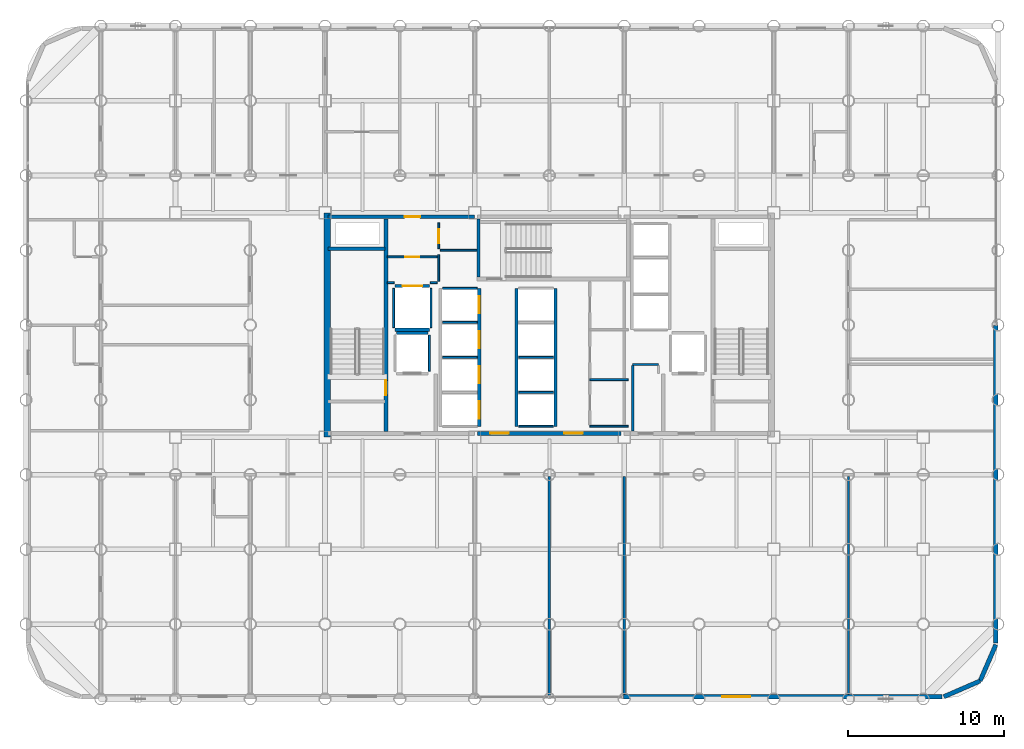
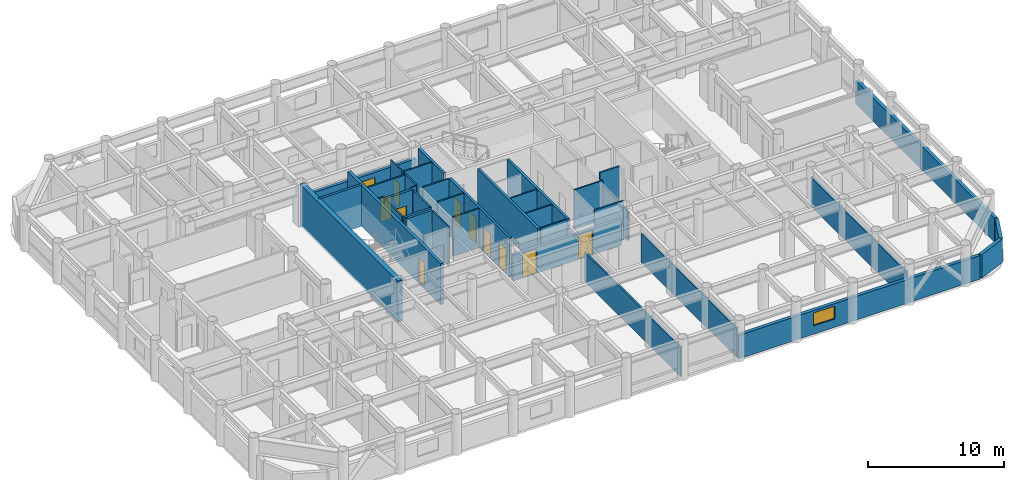
# One storey, part 17 of 21: 38 walls, 11 doors, 1 window, 12 openings.
"""IFC4 building model written with IfcOpenShell, lengths in metres."""

from ifc_helpers import new_model, si_unit, direction, frame, frame_2d, origin, place, context, subcontext, project, spatial, rectangle, extrude, material, layer, layer_set, type_object, element, fill, save


model = new_model("IFC4")

# Units and contexts
model_context = context("Model", 3, precision=1e-05, world=origin(), true_north=direction((0.0, 1.0)))
body_context = subcontext(model_context, "Body", "Model", "MODEL_VIEW")
ifc_project = project(units=[si_unit("LENGTHUNIT", "METRE"), si_unit("AREAUNIT", "SQUARE_METRE"), si_unit("VOLUMEUNIT", "CUBIC_METRE"), si_unit("PLANEANGLEUNIT", "RADIAN"), si_unit("MASSUNIT", "GRAM", prefix="KILO")], contexts=[model_context])

# Site, building, storey
site_placement = place(None, origin())
site = spatial("IfcSite", under=ifc_project, at=site_placement, CompositionType="ELEMENT")
building_placement = place(site_placement, origin())
building = spatial("IfcBuilding", under=site, at=building_placement, Name="Kallvorn Hotel Tower", CompositionType="ELEMENT")
storey_placement = place(building_placement, frame((0.0, 0.0, 52.199951171875)))
storey = spatial("IfcBuildingStorey", under=building, at=storey_placement, Name="L11", CompositionType="ELEMENT", Elevation=52.199951171875)

# Walls
ifc_material_1 = material(Name="Concrete C50/60", Category="concrete")
ifc_layer_1 = layer(ifc_material_1, 0.39990234375)
ifc_layer_set_1 = layer_set([ifc_layer_1], Name="WL_CORE_400")
wall_type_1 = type_object("IfcWallType", Name="WL_CORE_400", PredefinedType="SHEAR", material=ifc_layer_set_1)
wall_1_placement = place(storey_placement, frame((-14.264892578125, -7.199951171875, -0.179931640625), z_axis=(0.0, 0.0, 1.0), x_axis=(0.0, 1.0, 0.0)))
element("IfcWall", 1, at=wall_1_placement, inside=storey, type_object=wall_type_1, Name="L11 Core West Shear Wall", PredefinedType="SHEAR", context=body_context, shape_type="SweptSolid", body=[
    extrude(rectangle(XDim=14.39990234375, YDim=0.39990234375, at=frame_2d((7.199951171875, 0.0))), origin(), (0.0, 0.0, 1.0), 3.699951171875),
])
ifc_material_2 = material(Name="Precast basalt-clad insulated concrete wall C40/50", Category="masonry")
ifc_layer_2 = layer(ifc_material_2, 0.280029296875)
ifc_layer_set_2 = layer_set([ifc_layer_2], Name="WL_EXT_LOGGIA_280")
wall_type_2 = type_object("IfcWallType", Name="WL_EXT_LOGGIA_280", PredefinedType="SOLIDWALL", material=ifc_layer_set_2)
wall_2_placement = place(storey_placement, frame((25.32080078125, -23.85791015625, 0.0), z_axis=(0.0, 0.0, 1.0), x_axis=(0.917060872934, 0.398747232384, 0.0)))
element("IfcWall", 2, at=wall_2_placement, inside=storey, type_object=wall_type_2, Name="L11 Rounded Corner Exterior Wall SE1", PredefinedType="SOLIDWALL", context=body_context, shape_type="SweptSolid", body=[
    extrude(rectangle(XDim=2.5361328125, YDim=0.280029296875, at=frame_2d((1.26806640625, 0.0))), origin(), (0.0, 0.0, 1.0), 2.1201171875),
])
wall_3_placement = place(storey_placement, frame((27.646484375, -22.8466796875, 0.0), z_axis=(0.0, 0.0, 1.0), x_axis=(0.398792985289, 0.917040977756, 0.0)))
element("IfcWall", 3, at=wall_3_placement, inside=storey, type_object=wall_type_2, Name="L11 Rounded Corner Exterior Wall SE2", PredefinedType="SOLIDWALL", context=body_context, shape_type="SweptSolid", body=[
    extrude(rectangle(XDim=2.536376953125, YDim=0.280029296875, at=frame_2d((1.26806640625, 0.0))), origin(), (0.0, 0.0, 1.0), 2.1201171875),
])

# Wall, opening, window
wall_4_placement = place(storey_placement, frame((4.75, -23.860107421875, 0.0), z_axis=(0.0, 0.0, 1.0), x_axis=(1.0, 0.0, 0.0)))
wall_4 = element("IfcWall", 4, at=wall_4_placement, inside=storey, type_object=wall_type_2, Name="L11 Exterior Envelope Wall EW-L11-SE", PredefinedType="SOLIDWALL", context=body_context, shape_type="SweptSolid", body=[
    extrude(rectangle(XDim=20.449951171875, YDim=0.280029296875, at=frame_2d((10.22509765625, 0.0))), origin(), (0.0, 0.0, 1.0), 2.1201171875),
])
opening_1_placement = place(wall_4_placement, frame((6.35009765625, 0.0, 0.75)))
opening_1 = element("IfcOpeningElement", 5, at=opening_1_placement, cuts=wall_4, Name="Opening W04A", PredefinedType="OPENING", context=body_context, shape_type="SweptSolid", body=[
    extrude(rectangle(XDim=1.800048828125, YDim=1.14990234375, at=frame_2d((0.89990234375, 0.574951171875))), frame((0.0, 0.155029296875, 0.0), z_axis=(0.0, -1.0, 0.0), x_axis=(1.0, 0.0, 0.0)), (0.0, 0.0, 1.0), 0.31005859375),
])
ifc_material_3 = material(Name="Double-glazed low-e solar-control dark glass", Category="glass")
window_type = type_object("IfcWindowType", Name="WN_HTL_1800x1150", PartitioningType="SINGLE_PANEL", PredefinedType="WINDOW", material=ifc_material_3)
window_placement = place(opening_1_placement, origin())
window = element("IfcWindow", 6, at=window_placement, inside=storey, type_object=window_type, Name="L11 Guestroom Exterior Window 04", OverallHeight=1.14990234375, OverallWidth=1.800048828125, PartitioningType="SINGLE_PANEL", PredefinedType="WINDOW", context=body_context, shape_type="SweptSolid", body=[
    extrude(rectangle(XDim=1.800048828125, YDim=1.14990234375, at=frame_2d((0.89990234375, 0.574951171875))), frame((0.0, 0.030029296875, 0.0), z_axis=(0.0, -1.0, 0.0), x_axis=(1.0, 0.0, 0.0)), (0.0, 0.0, 1.0), 0.06005859375),
])
fill(opening_1, window)

# Walls
wall_5_placement = place(storey_placement, frame((28.659912109375, -20.39990234375, 0.0), z_axis=(0.0, 0.0, 1.0), x_axis=(0.0, 1.0, 0.0)))
element("IfcWall", 7, at=wall_5_placement, inside=storey, type_object=wall_type_2, Name="L11 Exterior Envelope Wall EW-L11-ES", PredefinedType="SOLIDWALL", context=body_context, shape_type="SweptSolid", body=[
    extrude(rectangle(XDim=20.3798828125, YDim=0.280029296875, at=frame_2d((10.18994140625, 0.0))), origin(), (0.0, 0.0, 1.0), 2.1201171875),
])
ifc_material_4 = material(Name="Concrete C40/50", Category="concrete")
ifc_layer_3 = layer(ifc_material_4, 0.199951171875)
ifc_layer_set_3 = layer_set([ifc_layer_3], Name="WL_HOIST_200")
wall_type_3 = type_object("IfcWallType", Name="WL_HOIST_200", PredefinedType="SOLIDWALL", material=ifc_layer_set_3)
wall_6_placement = place(storey_placement, frame((-14.199951171875, 4.89990234375, -0.179931640625), z_axis=(0.0, 0.0, 1.0), x_axis=(1.0, 0.0, 0.0)))
element("IfcWall", 8, at=wall_6_placement, inside=storey, type_object=wall_type_3, Name="L11 Stair ST1 North Wall", PredefinedType="SOLIDWALL", context=body_context, shape_type="SweptSolid", body=[
    extrude(rectangle(XDim=3.64990234375, YDim=0.199951171875, at=frame_2d((1.824951171875, 0.0))), origin(), (0.0, 0.0, 1.0), 3.699951171875),
])
wall_7_placement = place(storey_placement, frame((-4.550048828125, 3.080078125, -0.179931640625), z_axis=(0.0, 0.0, 1.0), x_axis=(0.0, 1.0, 0.0)))
element("IfcWall", 9, at=wall_7_placement, inside=storey, type_object=wall_type_3, Name="L11 Stair ST3 West Wall", PredefinedType="SOLIDWALL", context=body_context, shape_type="SweptSolid", body=[
    extrude(rectangle(XDim=3.739990234375, YDim=0.199951171875, at=frame_2d((1.8701171875, 0.0))), origin(), (0.0, 0.0, 1.0), 3.699951171875),
])

# Wall, openings, doors
wall_8_placement = place(storey_placement, frame((-4.5, -6.5, 0.0), z_axis=(0.0, 0.0, 1.0), x_axis=(0.0, 1.0, 0.0)))
wall_8 = element("IfcWall", 10, at=wall_8_placement, inside=storey, type_object=wall_type_3, Name="L11 Lift Bank B1 Landing Wall", PredefinedType="SOLIDWALL", context=body_context, shape_type="SweptSolid", body=[
    extrude(rectangle(XDim=8.85009765625, YDim=0.199951171875, at=frame_2d((4.425048828125, 0.0))), origin(), (0.0, 0.0, 1.0), 3.52001953125),
])
opening_2_placement = place(wall_8_placement, frame((0.5, 0.0, 0.0)))
opening_2 = element("IfcOpeningElement", 11, at=opening_2_placement, cuts=wall_8, Name="Opening LD-PL-01", PredefinedType="OPENING", context=body_context, shape_type="SweptSolid", body=[
    extrude(rectangle(XDim=1.10009765625, YDim=2.199951171875, at=frame_2d((0.550048828125, 1.10009765625))), frame((0.0, 0.114990234375, 0.0), z_axis=(0.0, -1.0, 0.0), x_axis=(1.0, 0.0, 0.0)), (0.0, 0.0, 1.0), 0.22998046875),
])
opening_3_placement = place(wall_8_placement, frame((2.75, 0.0, 0.0)))
opening_3 = element("IfcOpeningElement", 12, at=opening_3_placement, cuts=wall_8, Name="Opening LD-PL-02", PredefinedType="OPENING", context=body_context, shape_type="SweptSolid", body=[
    extrude(rectangle(XDim=1.10009765625, YDim=2.199951171875, at=frame_2d((0.550048828125, 1.10009765625))), frame((0.0, 0.114990234375, 0.0), z_axis=(0.0, -1.0, 0.0), x_axis=(1.0, 0.0, 0.0)), (0.0, 0.0, 1.0), 0.22998046875),
])
opening_4_placement = place(wall_8_placement, frame((5.0, 0.0, 0.0)))
opening_4 = element("IfcOpeningElement", 13, at=opening_4_placement, cuts=wall_8, Name="Opening LD-PL-03", PredefinedType="OPENING", context=body_context, shape_type="SweptSolid", body=[
    extrude(rectangle(XDim=1.10009765625, YDim=2.199951171875, at=frame_2d((0.550048828125, 1.10009765625))), frame((0.0, 0.114990234375, 0.0), z_axis=(0.0, -1.0, 0.0), x_axis=(1.0, 0.0, 0.0)), (0.0, 0.0, 1.0), 0.22998046875),
])
opening_5_placement = place(wall_8_placement, frame((7.25, 0.0, 0.0)))
opening_5 = element("IfcOpeningElement", 14, at=opening_5_placement, cuts=wall_8, Name="Opening LD-PL-04", PredefinedType="OPENING", context=body_context, shape_type="SweptSolid", body=[
    extrude(rectangle(XDim=1.10009765625, YDim=2.199951171875, at=frame_2d((0.550048828125, 1.10009765625))), frame((0.0, 0.114990234375, 0.0), z_axis=(0.0, -1.0, 0.0), x_axis=(1.0, 0.0, 0.0)), (0.0, 0.0, 1.0), 0.22998046875),
])
ifc_material_5 = material(Name="Brushed stainless-steel automatic sliding lift landing door", Category="steel")
door_type_1 = type_object("IfcDoorType", Name="LD_PASS_1100x2200", OperationType="SLIDING_TO_LEFT", PredefinedType="DOOR", material=ifc_material_5)
door_1_placement = place(opening_2_placement, origin())
door_1 = element("IfcDoor", 15, at=door_1_placement, inside=storey, type_object=door_type_1, Name="L11 Lift Landing Sliding Door LD-PL-01", OperationType="SLIDING_TO_LEFT", OverallHeight=2.199951171875, OverallWidth=1.10009765625, PredefinedType="DOOR", context=body_context, shape_type="SweptSolid", body=[
    extrude(rectangle(XDim=1.10009765625, YDim=2.199951171875, at=frame_2d((0.550048828125, 1.10009765625))), frame((0.0, 0.02490234375, 0.0), z_axis=(0.0, -1.0, 0.0), x_axis=(1.0, 0.0, 0.0)), (0.0, 0.0, 1.0), 0.050048828125),
])
fill(opening_2, door_1)
door_2_placement = place(opening_3_placement, origin())
door_2 = element("IfcDoor", 16, at=door_2_placement, inside=storey, type_object=door_type_1, Name="L11 Lift Landing Sliding Door LD-PL-02", OperationType="SLIDING_TO_LEFT", OverallHeight=2.199951171875, OverallWidth=1.10009765625, PredefinedType="DOOR", context=body_context, shape_type="SweptSolid", body=[
    extrude(rectangle(XDim=1.10009765625, YDim=2.199951171875, at=frame_2d((0.550048828125, 1.10009765625))), frame((0.0, 0.02490234375, 0.0), z_axis=(0.0, -1.0, 0.0), x_axis=(1.0, 0.0, 0.0)), (0.0, 0.0, 1.0), 0.050048828125),
])
fill(opening_3, door_2)
door_3_placement = place(opening_4_placement, origin())
door_3 = element("IfcDoor", 17, at=door_3_placement, inside=storey, type_object=door_type_1, Name="L11 Lift Landing Sliding Door LD-PL-03", OperationType="SLIDING_TO_LEFT", OverallHeight=2.199951171875, OverallWidth=1.10009765625, PredefinedType="DOOR", context=body_context, shape_type="SweptSolid", body=[
    extrude(rectangle(XDim=1.10009765625, YDim=2.199951171875, at=frame_2d((0.550048828125, 1.10009765625))), frame((0.0, 0.02490234375, 0.0), z_axis=(0.0, -1.0, 0.0), x_axis=(1.0, 0.0, 0.0)), (0.0, 0.0, 1.0), 0.050048828125),
])
fill(opening_4, door_3)
door_4_placement = place(opening_5_placement, origin())
door_4 = element("IfcDoor", 18, at=door_4_placement, inside=storey, type_object=door_type_1, Name="L11 Lift Landing Sliding Door LD-PL-04", OperationType="SLIDING_TO_LEFT", OverallHeight=2.199951171875, OverallWidth=1.10009765625, PredefinedType="DOOR", context=body_context, shape_type="SweptSolid", body=[
    extrude(rectangle(XDim=1.10009765625, YDim=2.199951171875, at=frame_2d((0.550048828125, 1.10009765625))), frame((0.0, 0.02490234375, 0.0), z_axis=(0.0, -1.0, 0.0), x_axis=(1.0, 0.0, 0.0)), (0.0, 0.0, 1.0), 0.050048828125),
])
fill(opening_5, door_4)

# Walls
for number, where, z_axis, x_axis, name in (
    (19, (-2.10009765625, -6.5, 0.0), (0.0, 0.0, 1.0), (0.0, 1.0, 0.0), "L11 Lift Bank B2 Landing Wall"),
    (20, (0.39990234375, -6.5, 0.0), (0.0, 0.0, 1.0), (0.0, 1.0, 0.0), "L11 Lift Bank B2 Rear Shaft Wall"),
):
    element("IfcWall", number, at=place(storey_placement, frame(where, z_axis=z_axis, x_axis=x_axis)), inside=storey, type_object=wall_type_3, Name=name, PredefinedType="SOLIDWALL", context=body_context, shape_type="SweptSolid", body=[
        extrude(rectangle(XDim=8.85009765625, YDim=0.199951171875, at=frame_2d((4.425048828125, 0.0))), origin(), (0.0, 0.0, 1.0), 3.52001953125),
    ])
wall_9_placement = place(storey_placement, frame((-9.820068359375, -0.5, 0.0), z_axis=(0.0, 0.0, 1.0), x_axis=(1.0, 0.0, 0.0)))
element("IfcWall", 21, at=wall_9_placement, inside=storey, type_object=wall_type_3, Name="L11 FL-1 Rear Shaft Wall", PredefinedType="SOLIDWALL", context=body_context, shape_type="SweptSolid", body=[
    extrude(rectangle(XDim=2.0400390625, YDim=0.199951171875, at=frame_2d((1.02001953125, 0.0))), origin(), (0.0, 0.0, 1.0), 3.52001953125),
])

# Wall, opening, door
wall_10_placement = place(storey_placement, frame((-9.919921875, 2.5, 0.0), z_axis=(0.0, 0.0, 1.0), x_axis=(1.0, 0.0, 0.0)))
wall_10 = element("IfcWall", 22, at=wall_10_placement, inside=storey, type_object=wall_type_3, Name="L11 SV-01 Landing Wall", PredefinedType="SOLIDWALL", context=body_context, shape_type="SweptSolid", body=[
    extrude(rectangle(XDim=2.239990234375, YDim=0.199951171875, at=frame_2d((1.1201171875, 0.0))), origin(), (0.0, 0.0, 1.0), 3.52001953125),
])
opening_6_placement = place(wall_10_placement, frame((0.4951171875, 0.0, 0.0)))
opening_6 = element("IfcOpeningElement", 23, at=opening_6_placement, cuts=wall_10, Name="Opening LD-SV-01", PredefinedType="OPENING", context=body_context, shape_type="SweptSolid", body=[
    extrude(rectangle(XDim=1.25, YDim=2.25, at=frame_2d((0.625, 1.125))), frame((0.0, 0.114990234375, 0.0), z_axis=(0.0, -1.0, 0.0), x_axis=(1.0, 0.0, 0.0)), (0.0, 0.0, 1.0), 0.22998046875),
])
ifc_material_6 = material(Name="Brushed stainless-steel automatic sliding lift landing door", Category="steel")
door_type_2 = type_object("IfcDoorType", Name="LD_SERV_1250x2250", OperationType="SLIDING_TO_LEFT", PredefinedType="DOOR", material=ifc_material_6)
door_5_placement = place(opening_6_placement, origin())
door_5 = element("IfcDoor", 24, at=door_5_placement, inside=storey, type_object=door_type_2, Name="L11 Lift Landing Sliding Door LD-SV-01", OperationType="SLIDING_TO_LEFT", OverallHeight=2.25, OverallWidth=1.25, PredefinedType="DOOR", context=body_context, shape_type="SweptSolid", body=[
    extrude(rectangle(XDim=1.25, YDim=2.25, at=frame_2d((0.625, 1.125))), frame((0.0, 0.02490234375, 0.0), z_axis=(0.0, -1.0, 0.0), x_axis=(1.0, 0.0, 0.0)), (0.0, 0.0, 1.0), 0.050048828125),
])
fill(opening_6, door_5)

# Walls
wall_11_placement = place(storey_placement, frame((-9.919921875, -0.300048828125, 0.0), z_axis=(0.0, 0.0, 1.0), x_axis=(1.0, 0.0, 0.0)))
element("IfcWall", 25, at=wall_11_placement, inside=storey, type_object=wall_type_3, Name="L11 SV-01 Rear Shaft Wall", PredefinedType="SOLIDWALL", context=body_context, shape_type="SweptSolid", body=[
    extrude(rectangle(XDim=2.239990234375, YDim=0.199951171875, at=frame_2d((1.1201171875, 0.0))), origin(), (0.0, 0.0, 1.0), 3.52001953125),
])
ifc_material_7 = material(Name="Fire-rated double-layer acoustic gypsum drywall EI 60")
ifc_layer_4 = layer(ifc_material_7, 0.1201171875)
ifc_layer_set_4 = layer_set([ifc_layer_4], Name="WL_INT_120")
wall_type_4 = type_object("IfcWallType", Name="WL_INT_120", PredefinedType="PARTITIONING", material=ifc_layer_set_4)
for number, where, z_axis, x_axis, name in (
    (26, (-6.860107421875, -2.074951171875, 0.0), (0.0, 0.0, 1.0), (1.0, 0.0, 0.0), "L11 PL-02 Hoistway Divider"),
    (27, (-6.860107421875, 0.175048828125, 0.0), (0.0, 0.0, 1.0), (1.0, 0.0, 0.0), "L11 PL-03 Hoistway Divider"),
    (28, (-6.860107421875, 2.35009765625, 0.0), (0.0, 0.0, 1.0), (1.0, 0.0, 0.0), "L11 PL-04 Hoistway Divider"),
):
    element("IfcWall", number, at=place(storey_placement, frame(where, z_axis=z_axis, x_axis=x_axis)), inside=storey, type_object=wall_type_4, Name=name, PredefinedType="PARTITIONING", context=body_context, shape_type="SweptSolid", body=[
        extrude(rectangle(XDim=2.22021484375, YDim=0.1201171875, at=frame_2d((1.110107421875, 0.0))), origin(), (0.0, 0.0, 1.0), 3.52001953125),
    ])
for number, where, z_axis, x_axis, name in (
    (29, (-1.9599609375, -6.5, 0.0), (0.0, 0.0, 1.0), (1.0, 0.0, 0.0), "L11 Lift Bank B2 South Closure Wall"),
    (30, (-1.9599609375, -4.324951171875, 0.0), (0.0, 0.0, 1.0), (1.0, 0.0, 0.0), "L11 PL-05 Hoistway Divider"),
    (31, (-1.9599609375, -2.074951171875, 0.0), (0.0, 0.0, 1.0), (1.0, 0.0, 0.0), "L11 PL-06 Hoistway Divider"),
):
    element("IfcWall", number, at=place(storey_placement, frame(where, z_axis=z_axis, x_axis=x_axis)), inside=storey, type_object=wall_type_4, Name=name, PredefinedType="PARTITIONING", context=body_context, shape_type="SweptSolid", body=[
        extrude(rectangle(XDim=2.219970703125, YDim=0.1201171875, at=frame_2d((1.10986328125, 0.0))), origin(), (0.0, 0.0, 1.0), 3.52001953125),
    ])
wall_12_placement = place(storey_placement, frame((-7.699951171875, -2.9599609375, 0.0), z_axis=(0.0, 0.0, 1.0), x_axis=(0.0, 1.0, 0.0)))
element("IfcWall", 32, at=wall_12_placement, inside=storey, type_object=wall_type_4, Name="L11 FL-1 East Shaft Wall", PredefinedType="PARTITIONING", context=body_context, shape_type="SweptSolid", body=[
    extrude(rectangle(XDim=2.320068359375, YDim=0.1201171875, at=frame_2d((1.16015625, 0.0))), origin(), (0.0, 0.0, 1.0), 3.52001953125),
])
for number, where, z_axis, x_axis, name in (
    (33, (-10.0, -0.159912109375, 0.0), (0.0, 0.0, 1.0), (0.0, 1.0, 0.0), "L11 SV-01 West Shaft Wall"),
    (34, (-7.60009765625, -0.159912109375, 0.0), (0.0, 0.0, 1.0), (0.0, 1.0, 0.0), "L11 SV-01 East Shaft Wall"),
):
    element("IfcWall", number, at=place(storey_placement, frame(where, z_axis=z_axis, x_axis=x_axis)), inside=storey, type_object=wall_type_4, Name=name, PredefinedType="PARTITIONING", context=body_context, shape_type="SweptSolid", body=[
        extrude(rectangle(XDim=2.52001953125, YDim=0.1201171875, at=frame_2d((1.260009765625, 0.0))), origin(), (0.0, 0.0, 1.0), 3.52001953125),
    ])
for number, where, z_axis, x_axis, name in (
    (35, (2.60009765625, -6.5, 0.0), (0.0, 0.0, 1.0), (1.0, 0.0, 0.0), "L11 East Core Minibar Store Partition"),
    (36, (2.60009765625, -3.5, 0.0), (0.0, 0.0, 1.0), (1.0, 0.0, 0.0), "L11 East Core Housekeeping Supply Closet Partition"),
):
    element("IfcWall", number, at=place(storey_placement, frame(where, z_axis=z_axis, x_axis=x_axis)), inside=storey, type_object=wall_type_4, Name=name, PredefinedType="PARTITIONING", context=body_context, shape_type="SweptSolid", body=[
        extrude(rectangle(XDim=2.449951171875, YDim=0.1201171875, at=frame_2d((1.22509765625, 0.0))), origin(), (0.0, 0.0, 1.0), 3.52001953125),
    ])
for number, where, z_axis, x_axis, name in (
    (37, (-10.39990234375, 2.72509765625, 0.0), (0.0, 0.0, 1.0), (1.0, 0.0, 0.0), "L11 Core Telecom and Metering Store Partition"),
    (38, (-7.639892578125, 2.72509765625, 0.0), (0.0, 0.0, 1.0), (1.0, 0.0, 0.0), "L11 Core Telecom and Metering Store Partition"),
):
    element("IfcWall", number, at=place(storey_placement, frame(where, z_axis=z_axis, x_axis=x_axis)), inside=storey, type_object=wall_type_4, Name=name, PredefinedType="PARTITIONING", context=body_context, shape_type="SweptSolid", body=[
        extrude(rectangle(XDim=0.43994140625, YDim=0.1201171875, at=frame_2d((0.219970703125, 0.0))), origin(), (0.0, 0.0, 1.0), 3.52001953125),
    ])

# Wall, opening, door
wall_13_placement = place(storey_placement, frame((-10.39990234375, 4.373291015625, 0.0), z_axis=(0.0, 0.0, 1.0), x_axis=(1.0, 0.0, 0.0)))
wall_13 = element("IfcWall", 39, at=wall_13_placement, inside=storey, type_object=wall_type_4, Name="L11 Core Telecom and Metering Store Partition", PredefinedType="PARTITIONING", context=body_context, shape_type="SweptSolid", body=[
    extrude(rectangle(XDim=3.199951171875, YDim=0.1201171875, at=frame_2d((1.60009765625, 0.0))), origin(), (0.0, 0.0, 1.0), 3.52001953125),
])
opening_7_placement = place(wall_13_placement, frame((1.14990234375, 0.0, 0.0)))
opening_7 = element("IfcOpeningElement", 40, at=opening_7_placement, cuts=wall_13, Name="Opening SVD1", PredefinedType="OPENING", context=body_context, shape_type="SweptSolid", body=[
    extrude(rectangle(XDim=0.89990234375, YDim=2.10009765625, at=frame_2d((0.449951171875, 1.050048828125))), frame((0.0, 0.074951171875, 0.0), z_axis=(0.0, -1.0, 0.0), x_axis=(1.0, 0.0, 0.0)), (0.0, 0.0, 1.0), 0.150146484375),
])
ifc_material_8 = material(Name="Galvanised painted steel fire-rated door assembly", Category="steel")
door_type_3 = type_object("IfcDoorType", Name="DR_SERV_900x2100", OperationType="NOTDEFINED", PredefinedType="DOOR", material=ifc_material_8)
door_6_placement = place(opening_7_placement, origin())
door_6 = element("IfcDoor", 41, at=door_6_placement, inside=storey, type_object=door_type_3, Name="L11 Core Telecom and Metering Store Door", OperationType="SINGLE_SWING_RIGHT", OverallHeight=2.10009765625, OverallWidth=0.89990234375, PredefinedType="DOOR", context=body_context, shape_type="SweptSolid", body=[
    extrude(rectangle(XDim=0.89990234375, YDim=2.10009765625, at=frame_2d((0.449951171875, 1.050048828125))), frame((0.0, 0.02490234375, 0.0), z_axis=(0.0, -1.0, 0.0), x_axis=(1.0, 0.0, 0.0)), (0.0, 0.0, 1.0), 0.050048828125),
])
fill(opening_7, door_6)

# Walls
wall_14_placement = place(storey_placement, frame((-7.0, 4.800048828125, 0.0), z_axis=(0.0, 0.0, 1.0), x_axis=(1.0, 0.0, 0.0)))
element("IfcWall", 42, at=wall_14_placement, inside=storey, type_object=wall_type_4, Name="L11 Core Room Service Staging Pantry Partition", PredefinedType="PARTITIONING", context=body_context, shape_type="SweptSolid", body=[
    extrude(rectangle(XDim=2.35009765625, YDim=0.1201171875, at=frame_2d((1.175048828125, 0.0))), origin(), (0.0, 0.0, 1.0), 3.52001953125),
])
wall_15_placement = place(storey_placement, frame((-7.10009765625, 2.81005859375, 0.0), z_axis=(0.0, 0.0, 1.0), x_axis=(0.0, 1.0, 0.0)))
element("IfcWall", 43, at=wall_15_placement, inside=storey, type_object=wall_type_4, Name="L11 Core Telecom and Metering Store Partition", PredefinedType="PARTITIONING", context=body_context, shape_type="SweptSolid", body=[
    extrude(rectangle(XDim=1.7099609375, YDim=0.1201171875, at=frame_2d((0.85498046875, 0.0))), origin(), (0.0, 0.0, 1.0), 3.52001953125),
])

# Wall, opening, door
wall_16_placement = place(storey_placement, frame((-7.10009765625, 4.89990234375, 0.0), z_axis=(0.0, 0.0, 1.0), x_axis=(0.0, 1.0, 0.0)))
wall_16 = element("IfcWall", 44, at=wall_16_placement, inside=storey, type_object=wall_type_4, Name="L11 Core Room Service Staging Pantry Partition", PredefinedType="PARTITIONING", context=body_context, shape_type="SweptSolid", body=[
    extrude(rectangle(XDim=1.650146484375, YDim=0.1201171875, at=frame_2d((0.8251953125, 0.0))), origin(), (0.0, 0.0, 1.0), 3.52001953125),
])
opening_8_placement = place(wall_16_placement, frame((0.35009765625, 0.0, 0.0)))
opening_8 = element("IfcOpeningElement", 45, at=opening_8_placement, cuts=wall_16, Name="Opening SVD1", PredefinedType="OPENING", context=body_context, shape_type="SweptSolid", body=[
    extrude(rectangle(XDim=0.89990234375, YDim=2.10009765625, at=frame_2d((0.449951171875, 1.050048828125))), frame((0.0, 0.074951171875, 0.0), z_axis=(0.0, -1.0, 0.0), x_axis=(1.0, 0.0, 0.0)), (0.0, 0.0, 1.0), 0.150146484375),
])
door_7_placement = place(opening_8_placement, origin())
door_7 = element("IfcDoor", 46, at=door_7_placement, inside=storey, type_object=door_type_3, Name="L11 Core Room Service Staging Pantry Door", OperationType="SINGLE_SWING_RIGHT", OverallHeight=2.10009765625, OverallWidth=0.89990234375, PredefinedType="DOOR", context=body_context, shape_type="SweptSolid", body=[
    extrude(rectangle(XDim=0.89990234375, YDim=2.10009765625, at=frame_2d((0.449951171875, 1.050048828125))), frame((0.0, 0.02490234375, 0.0), z_axis=(0.0, -1.0, 0.0), x_axis=(1.0, 0.0, 0.0)), (0.0, 0.0, 1.0), 0.050048828125),
])
fill(opening_8, door_7)

# Walls
ifc_material_9 = material(Name="Fire-rated double-layer acoustic gypsum drywall EI 60")
ifc_layer_5 = layer(ifc_material_9, 0.14990234375)
ifc_layer_set_5 = layer_set([ifc_layer_5], Name="WL_PART_150")
wall_type_5 = type_object("IfcWallType", Name="WL_PART_150", PredefinedType="PARTITIONING", material=ifc_layer_set_5)
wall_17_placement = place(storey_placement, frame((0.0, -23.794921875, 0.0), z_axis=(0.0, 0.0, 1.0), x_axis=(0.0, 1.0, 0.0)))
element("IfcWall", 47, at=wall_17_placement, inside=storey, type_object=wall_type_5, Name="L11 L11 Diplomatic Summit Conference Boardroom 3-1 Partition", PredefinedType="PARTITIONING", context=body_context, shape_type="SweptSolid", body=[
    extrude(rectangle(XDim=14.074951171875, YDim=0.14990234375, at=frame_2d((7.03759765625, 0.0))), origin(), (0.0, 0.0, 1.0), 2.6201171875),
])
for number, where, z_axis, x_axis, name in (
    (48, (4.800048828125, -23.7099609375, 0.0), (0.0, 0.0, 1.0), (0.0, 1.0, 0.0), "L11 L11 Diplomatic Summit Conference Boardroom 3-2 Partition"),
    (49, (19.199951171875, -23.7099609375, 0.0), (0.0, 0.0, 1.0), (0.0, 1.0, 0.0), "L11 L11 Sommelier Wine and Tapas Bar 4 Partition"),
):
    element("IfcWall", number, at=place(storey_placement, frame(where, z_axis=z_axis, x_axis=x_axis)), inside=storey, type_object=wall_type_5, Name=name, PredefinedType="PARTITIONING", context=body_context, shape_type="SweptSolid", body=[
        extrude(rectangle(XDim=13.989990234375, YDim=0.14990234375, at=frame_2d((6.9951171875, 0.0))), origin(), (0.0, 0.0, 1.0), 2.6201171875),
    ])
ifc_material_10 = material(Name="Moisture-resistant acoustic plumbing chase wall EI 60")
ifc_layer_6 = layer(ifc_material_10, 0.139892578125)
ifc_layer_set_6 = layer_set([ifc_layer_6], Name="WL_PLUMB_140")
wall_type_6 = type_object("IfcWallType", Name="WL_PLUMB_140", PredefinedType="PLUMBINGWALL", material=ifc_layer_set_6)
wall_18_placement = place(storey_placement, frame((5.35009765625, -2.52490234375, 0.0), z_axis=(0.0, 0.0, 1.0), x_axis=(1.0, 0.0, 0.0)))
element("IfcWall", 50, at=wall_18_placement, inside=storey, type_object=wall_type_6, Name="L11 Core Accessible Staff WC Partition", PredefinedType="PLUMBINGWALL", context=body_context, shape_type="SweptSolid", body=[
    extrude(rectangle(XDim=1.64990234375, YDim=0.139892578125, at=frame_2d((0.824951171875, 0.0))), origin(), (0.0, 0.0, 1.0), 3.52001953125),
])
wall_19_placement = place(storey_placement, frame((5.35009765625, -6.800048828125, 0.0), z_axis=(0.0, 0.0, 1.0), x_axis=(0.0, 1.0, 0.0)))
element("IfcWall", 51, at=wall_19_placement, inside=storey, type_object=wall_type_6, Name="L11 Core Accessible Staff WC Partition", PredefinedType="PLUMBINGWALL", context=body_context, shape_type="SweptSolid", body=[
    extrude(rectangle(XDim=4.18994140625, YDim=0.139892578125, at=frame_2d((2.094970703125, 0.0))), origin(), (0.0, 0.0, 1.0), 2.6201171875),
])

# Wall, openings, doors
ifc_material_11 = material(Name="Concrete C40/50", Category="concrete")
ifc_layer_7 = layer(ifc_material_11, 0.25)
ifc_layer_set_7 = layer_set([ifc_layer_7], Name="WL_SHAFT_250")
wall_type_7 = type_object("IfcWallType", Name="WL_SHAFT_250", PredefinedType="SOLIDWALL", material=ifc_layer_set_7)
wall_20_placement = place(storey_placement, frame((-4.60009765625, -6.949951171875, 0.0), z_axis=(0.0, 0.0, 1.0), x_axis=(1.0, 0.0, 0.0)))
wall_20 = element("IfcWall", 52, at=wall_20_placement, inside=storey, type_object=wall_type_7, Name="L11 Core South-Central Wall", PredefinedType="SOLIDWALL", context=body_context, shape_type="SweptSolid", body=[
    extrude(rectangle(XDim=9.2001953125, YDim=0.25, at=frame_2d((4.60009765625, 0.0))), origin(), (0.0, 0.0, 1.0), 2.320068359375),
])
opening_9_placement = place(wall_20_placement, frame((0.800048828125, 0.0, 0.0)))
opening_9 = element("IfcOpeningElement", 53, at=opening_9_placement, cuts=wall_20, Name="Opening FD2", PredefinedType="OPENING", context=body_context, shape_type="SweptSolid", body=[
    extrude(rectangle(XDim=1.199951171875, YDim=2.199951171875, at=frame_2d((0.60009765625, 1.10009765625))), frame((0.0, 0.139892578125, 0.0), z_axis=(0.0, -1.0, 0.0), x_axis=(1.0, 0.0, 0.0)), (0.0, 0.0, 1.0), 0.280029296875),
])
opening_10_placement = place(wall_20_placement, frame((5.550048828125, 0.0, 0.0)))
opening_10 = element("IfcOpeningElement", 54, at=opening_10_placement, cuts=wall_20, Name="Opening FD2", PredefinedType="OPENING", context=body_context, shape_type="SweptSolid", body=[
    extrude(rectangle(XDim=1.199951171875, YDim=2.199951171875, at=frame_2d((0.60009765625, 1.10009765625))), frame((0.0, 0.139892578125, 0.0), z_axis=(0.0, -1.0, 0.0), x_axis=(1.0, 0.0, 0.0)), (0.0, 0.0, 1.0), 0.280029296875),
])
ifc_material_12 = material(Name="Galvanised painted steel fire-rated door assembly", Category="steel")
door_type_4 = type_object("IfcDoorType", Name="DR_LOBBY_1200x2200", OperationType="DOUBLE_DOOR_SINGLE_SWING", PredefinedType="DOOR", material=ifc_material_12)
door_8_placement = place(opening_9_placement, origin())
door_8 = element("IfcDoor", 55, at=door_8_placement, inside=storey, type_object=door_type_4, Name="L11 West Passenger Lift Lobby Door", OperationType="DOUBLE_DOOR_SINGLE_SWING", OverallHeight=2.199951171875, OverallWidth=1.199951171875, PredefinedType="DOOR", context=body_context, shape_type="SweptSolid", body=[
    extrude(rectangle(XDim=1.199951171875, YDim=2.199951171875, at=frame_2d((0.60009765625, 1.10009765625))), frame((0.0, 0.02490234375, 0.0), z_axis=(0.0, -1.0, 0.0), x_axis=(1.0, 0.0, 0.0)), (0.0, 0.0, 1.0), 0.050048828125),
])
fill(opening_9, door_8)
door_9_placement = place(opening_10_placement, origin())
door_9 = element("IfcDoor", 56, at=door_9_placement, inside=storey, type_object=door_type_4, Name="L11 East Passenger Lift Lobby Door", OperationType="DOUBLE_DOOR_SINGLE_SWING", OverallHeight=2.199951171875, OverallWidth=1.199951171875, PredefinedType="DOOR", context=body_context, shape_type="SweptSolid", body=[
    extrude(rectangle(XDim=1.199951171875, YDim=2.199951171875, at=frame_2d((0.60009765625, 1.10009765625))), frame((0.0, 0.02490234375, 0.0), z_axis=(0.0, -1.0, 0.0), x_axis=(1.0, 0.0, 0.0)), (0.0, 0.0, 1.0), 0.050048828125),
])
fill(opening_10, door_9)

# Wall, opening, door
wall_21_placement = place(storey_placement, frame((-14.199951171875, 6.949951171875, 0.0), z_axis=(0.0, 0.0, 1.0), x_axis=(1.0, 0.0, 0.0)))
wall_21 = element("IfcWall", 57, at=wall_21_placement, inside=storey, type_object=wall_type_7, Name="L11 Core North-West Wall", PredefinedType="SOLIDWALL", context=body_context, shape_type="SweptSolid", body=[
    extrude(rectangle(XDim=9.39990234375, YDim=0.25, at=frame_2d((4.699951171875, 0.0))), origin(), (0.0, 0.0, 1.0), 2.6201171875),
])
opening_11_placement = place(wall_21_placement, frame((4.89990234375, 0.0, 0.0)))
opening_11 = element("IfcOpeningElement", 58, at=opening_11_placement, cuts=wall_21, Name="Opening FD1", PredefinedType="OPENING", context=body_context, shape_type="SweptSolid", body=[
    extrude(rectangle(XDim=1.0, YDim=2.14990234375, at=frame_2d((0.5, 1.074951171875))), frame((0.0, 0.139892578125, 0.0), z_axis=(0.0, -1.0, 0.0), x_axis=(1.0, 0.0, 0.0)), (0.0, 0.0, 1.0), 0.280029296875),
])
ifc_material_13 = material(Name="Galvanised painted steel fire-rated door assembly", Category="steel")
door_type_5 = type_object("IfcDoorType", Name="DR_FFL_1000x2150", OperationType="NOTDEFINED", PredefinedType="DOOR", material=ifc_material_13)
door_10_placement = place(opening_11_placement, origin())
door_10 = element("IfcDoor", 59, at=door_10_placement, inside=storey, type_object=door_type_5, Name="L11 Service Lift Lobby Door", OperationType="SINGLE_SWING_LEFT", OverallHeight=2.14990234375, OverallWidth=1.0, PredefinedType="DOOR", context=body_context, shape_type="SweptSolid", body=[
    extrude(rectangle(XDim=1.0, YDim=2.14990234375, at=frame_2d((0.5, 1.074951171875))), frame((0.0, 0.02490234375, 0.0), z_axis=(0.0, -1.0, 0.0), x_axis=(1.0, 0.0, 0.0)), (0.0, 0.0, 1.0), 0.050048828125),
])
fill(opening_11, door_10)

wall_22_placement = place(storey_placement, frame((-10.5, -6.820068359375, -0.179931640625), z_axis=(0.0, 0.0, 1.0), x_axis=(0.0, 1.0, 0.0)))
wall_22 = element("IfcWall", 60, at=wall_22_placement, inside=storey, type_object=wall_type_7, Name="L11 Stair ST1 Shaft Wall", PredefinedType="SOLIDWALL", context=body_context, shape_type="SweptSolid", body=[
    extrude(rectangle(XDim=13.64013671875, YDim=0.25, at=frame_2d((6.820068359375, 0.0))), origin(), (0.0, 0.0, 1.0), 3.699951171875),
])
opening_12_placement = place(wall_22_placement, frame((2.320068359375, 0.0, 0.179931640625)))
opening_12 = element("IfcOpeningElement", 61, at=opening_12_placement, cuts=wall_22, Name="Opening SD1", PredefinedType="OPENING", context=body_context, shape_type="SweptSolid", body=[
    extrude(rectangle(XDim=0.949951171875, YDim=2.14990234375, at=frame_2d((0.47509765625, 1.074951171875))), frame((0.0, 0.139892578125, 0.0), z_axis=(0.0, -1.0, 0.0), x_axis=(1.0, 0.0, 0.0)), (0.0, 0.0, 1.0), 0.280029296875),
])
ifc_material_14 = material(Name="Galvanised painted steel fire-rated door assembly", Category="steel")
door_type_6 = type_object("IfcDoorType", Name="DR_STAIR_950x2150", OperationType="NOTDEFINED", PredefinedType="DOOR", material=ifc_material_14)
door_11_placement = place(opening_12_placement, origin())
door_11 = element("IfcDoor", 62, at=door_11_placement, inside=storey, type_object=door_type_6, Name="L11 Exit Stair ST1 Fire Door", OperationType="SINGLE_SWING_LEFT", OverallHeight=2.14990234375, OverallWidth=0.949951171875, PredefinedType="DOOR", context=body_context, shape_type="SweptSolid", body=[
    extrude(rectangle(XDim=0.949951171875, YDim=2.14990234375, at=frame_2d((0.47509765625, 1.074951171875))), frame((0.0, 0.02490234375, 0.0), z_axis=(0.0, -1.0, 0.0), x_axis=(1.0, 0.0, 0.0)), (0.0, 0.0, 1.0), 0.050048828125),
])
fill(opening_12, door_11)

save(model, "model.ifc")
